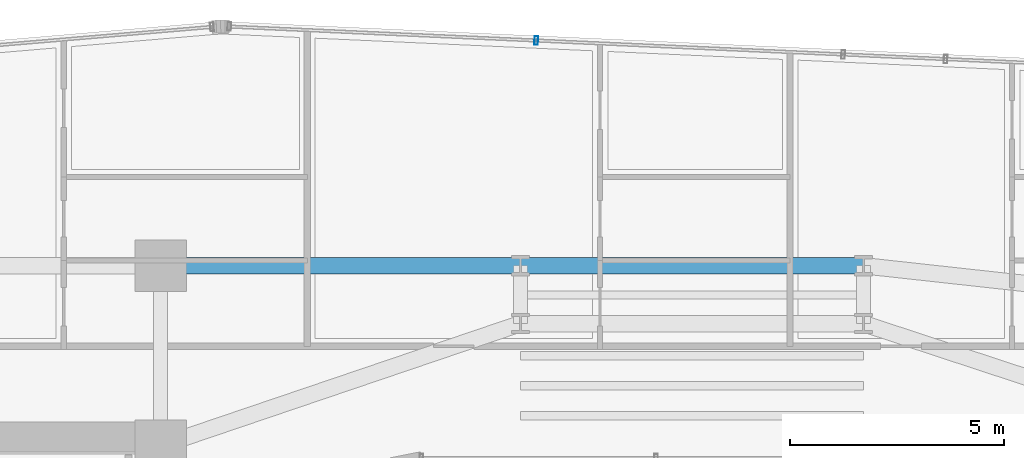
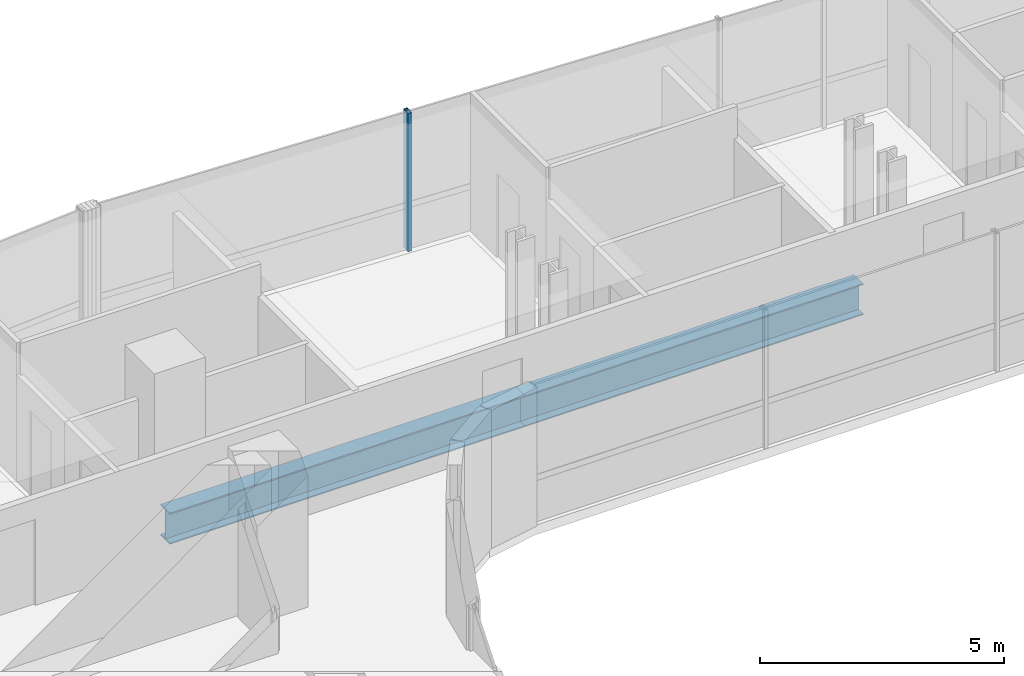
# One storey, part 22 of 37: 2 beams, 1 member, 1 element without a shape of its own.
"""IFC4 building model written with IfcOpenShell, lengths in metres."""

from ifc_helpers import new_model, si_unit, direction, frame, origin, origin_2d, place, context, subcontext, project, spatial, hollow_rectangle, i_section, extrude, source, transform, mapped, material, material_profile, profile_set, type_object, element, aggregate, save


model = new_model("IFC4")

# Units and contexts
model_context = context("Model", 3, precision=1e-05, world=origin(), true_north=direction((0.0, 1.0)))
body_context = subcontext(model_context, "Body", "Model", "MODEL_VIEW")
ifc_project = project(units=[si_unit("LENGTHUNIT", "METRE"), si_unit("AREAUNIT", "SQUARE_METRE"), si_unit("VOLUMEUNIT", "CUBIC_METRE"), si_unit("PLANEANGLEUNIT", "RADIAN"), si_unit("MASSUNIT", "GRAM", prefix="KILO")], contexts=[model_context])

# Site, building, storey
site_placement = place(None, origin())
site = spatial("IfcSite", under=ifc_project, at=site_placement, CompositionType="ELEMENT")
building_placement = place(site_placement, origin())
building = spatial("IfcBuilding", under=site, at=building_placement, Name="Valdorenza Pilgrim Sanctuary Tower", CompositionType="ELEMENT")
storey_placement = place(building_placement, frame((0.0, 0.0, 127.89990234375)))
storey = spatial("IfcBuildingStorey", under=building, at=storey_placement, Name="L32", CompositionType="ELEMENT", Elevation=127.89990234375)

# Beams
ifc_material_1 = material(Name="Steel ASTM A992 Grade 50", Category="steel")
ifc_material_profile_1 = material_profile(ifc_material_1, i_section(OverallWidth=0.382080078125, OverallDepth=0.779052734375, WebThickness=0.01806640625, FlangeThickness=0.030029296875, at=origin_2d()), Name="W30X191")
ifc_profile_set_1 = profile_set([ifc_material_profile_1], Name="Steel ASTM A992 Grade 50")
beam_type = type_object("IfcBeamType", Name="STR-BM-GRD-W30", PredefinedType="BEAM", material=ifc_profile_set_1)
shared_shape_1 = source(origin(), body_context, "Body", "SweptSolid", [
    extrude(i_section(OverallWidth=0.382080078125, OverallDepth=0.779052734375, WebThickness=0.01806640625, FlangeThickness=0.030029296875, at=origin_2d()), origin(), (0.0, 0.0, 1.0), 8.0),
])
beam_1_placement = place(storey_placement, frame((-4.0, 14.800048828125, -0.62939453125), z_axis=(1.0, 0.0, 0.0), x_axis=(0.0, 1.0, 0.0)))
element("IfcBeam", 1, at=beam_1_placement, inside=storey, type_object=beam_type, Name="L32 Floor Girder KNK-G5", PredefinedType="BEAM", context=body_context, shape_type="MappedRepresentation", body=[
    mapped(shared_shape_1, transform((0.0, 0.0, 0.0), x_axis=(1.0, 0.0, 0.0), y_axis=(0.0, 1.0, 0.0), z_axis=(0.0, 0.0, 1.0), scale=1.0)),
])
shared_shape_2 = source(origin(), body_context, "Body", "SweptSolid", [
    extrude(i_section(OverallWidth=0.382080078125, OverallDepth=0.779052734375, WebThickness=0.01806640625, FlangeThickness=0.030029296875, at=origin_2d()), origin(), (0.0, 0.0, 1.0), 8.39990234375),
])
beam_2_placement = place(storey_placement, frame((-12.39990234375, 14.800048828125, -0.62939453125), z_axis=(1.0, 0.0, 0.0), x_axis=(0.0, 1.0, 0.0)))
element("IfcBeam", 2, at=beam_2_placement, inside=storey, type_object=beam_type, Name="L32 Floor Girder KNK-G4", PredefinedType="BEAM", context=body_context, shape_type="MappedRepresentation", body=[
    mapped(shared_shape_2, transform((0.0, 0.0, 0.0), x_axis=(1.0, 0.0, 0.0), y_axis=(0.0, 1.0, 0.0), z_axis=(0.0, 0.0, 1.0), scale=1.0)),
])

# Curtain wall, member
ifc_material_2 = material(Name="Curtain-wall IGU glazing", Category="glass")
curtain_wall_type = type_object("IfcCurtainWallType", Name="CW-SYS-02", PredefinedType="NOTDEFINED", material=ifc_material_2)
curtain_wall_placement = place(storey_placement, origin())
curtain_wall = element("IfcCurtainWall", 3, at=curtain_wall_placement, inside=storey, type_object=curtain_wall_type, Name="L32 Curtain Wall CW-L32-1-11", PredefinedType="NOTDEFINED")
ifc_material_3 = material(Name="Anodised aluminium AW-6060", Category="aluminium")
ifc_material_profile_2 = material_profile(ifc_material_3, hollow_rectangle(XDim=0.0849609375, YDim=0.199951171875, WallThickness=0.0048828125, at=origin_2d()), Name="ALU-M 200x85x5")
ifc_profile_set_2 = profile_set([ifc_material_profile_2], Name="Anodised aluminium AW-6060")
member_type = type_object("IfcMemberType", Name="CW-MUL-02", PredefinedType="MULLION", material=ifc_profile_set_2)
shared_shape_3 = source(origin(), body_context, "Body", "SweptSolid", [
    extrude(hollow_rectangle(XDim=0.0849609375, YDim=0.199951171875, WallThickness=0.0048828125, at=origin_2d()), origin(), (0.0, 0.0, 1.0), 3.460205078125),
])
member_placement = place(storey_placement, frame((-3.6337890625, 20.05517578125, 0.0), z_axis=(0.0, 0.0, 1.0), x_axis=(0.998968193221, -0.045415294044, 0.0)))
member = element("IfcMember", 4, at=member_placement, type_object=member_type, Name="CW-L32-1-11 Mullion 2", PredefinedType="MULLION", context=body_context, shape_type="MappedRepresentation", body=[
    mapped(shared_shape_3, transform((0.0, 0.0, 0.0), x_axis=(1.0, 0.0, 0.0), y_axis=(0.0, 1.0, 0.0), z_axis=(0.0, 0.0, 1.0), scale=1.0)),
])
aggregate(curtain_wall, [member])

save(model, "model.ifc")
